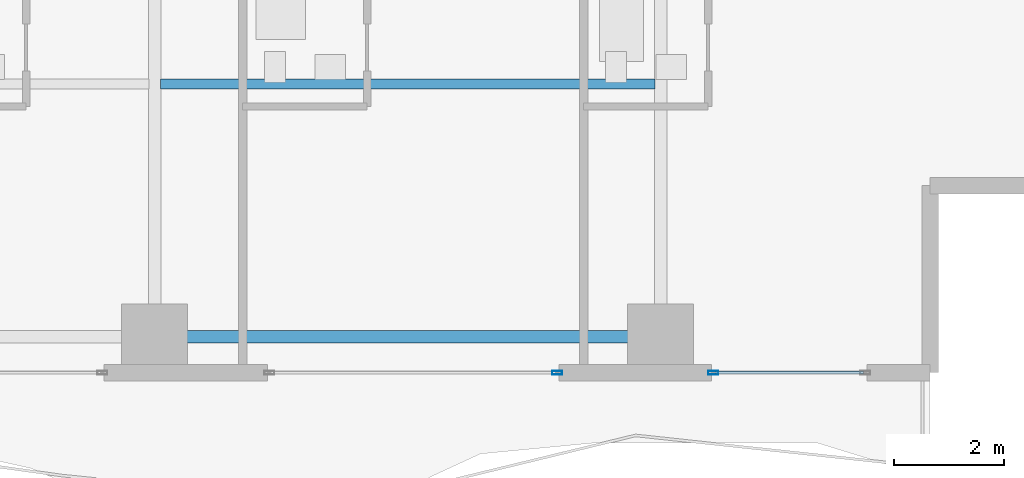
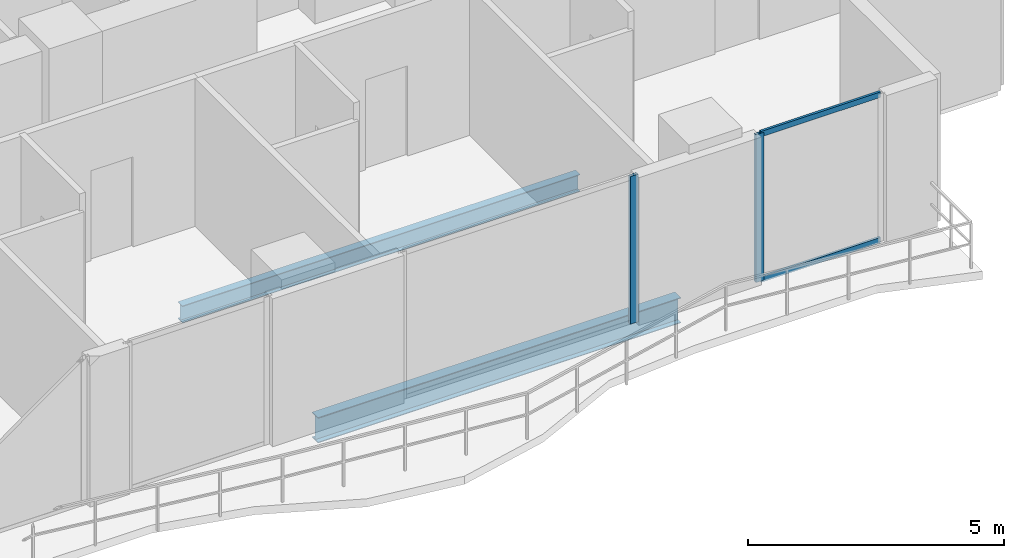
# One storey, part 9 of 32: 4 members, 2 beams, 2 elements without a shape of their own.
"""IFC4 building model written with IfcOpenShell, lengths in metres."""

from ifc_helpers import new_model, si_unit, direction, frame, origin, origin_2d, place, context, subcontext, project, spatial, hollow_rectangle, i_section, extrude, material, layer, layer_set, material_profile, profile_set, type_object, element, aggregate, save


model = new_model("IFC4")

# Units and contexts
model_context = context("Model", 3, precision=1e-05, world=origin(), true_north=direction((0.0, 1.0)))
body_context = subcontext(model_context, "Body", "Model", "MODEL_VIEW")
ifc_project = project(units=[si_unit("LENGTHUNIT", "METRE"), si_unit("AREAUNIT", "SQUARE_METRE"), si_unit("VOLUMEUNIT", "CUBIC_METRE"), si_unit("PLANEANGLEUNIT", "RADIAN"), si_unit("MASSUNIT", "GRAM", prefix="KILO")], contexts=[model_context])

# Site, building, storey
site_placement = place(None, origin())
site = spatial("IfcSite", under=ifc_project, at=site_placement, CompositionType="ELEMENT")
building_placement = place(site_placement, origin())
building = spatial("IfcBuilding", under=site, at=building_placement, Name="Zuhayl Quay Hotel", CompositionType="ELEMENT")
storey_placement = place(building_placement, frame((0.0, 0.0, 188.64990234375)))
storey = spatial("IfcBuildingStorey", under=building, at=storey_placement, Name="L47", CompositionType="ELEMENT", Elevation=188.64990234375)

# Beams
ifc_material_1 = material(Name="Steel ASTM A992 Grade 50", Category="steel")
ifc_material_profile_1 = material_profile(ifc_material_1, i_section(OverallWidth=0.22802734375, OverallDepth=0.60693359375, WebThickness=0.01123046875, FlangeThickness=0.017333984375, at=origin_2d()), Name="W24X76")
ifc_profile_set_1 = profile_set([ifc_material_profile_1], Name="Steel ASTM A992 Grade 50")
beam_type_1 = type_object("IfcBeamType", Name="BM_B3_W24X76", PredefinedType="BEAM", material=ifc_profile_set_1)
beam_1_placement = place(storey_placement, frame((5.10009765625, -6.949951171875, -0.5234375), z_axis=(1.0, 0.0, 0.0), x_axis=(0.0, 1.0, 0.0)))
element("IfcBeam", 1, at=beam_1_placement, inside=storey, type_object=beam_type_1, Name="L47 Floor Beam RG_L47_03", PredefinedType="BEAM", context=body_context, shape_type="SweptSolid", body=[
    extrude(i_section(OverallWidth=0.22802734375, OverallDepth=0.60693359375, WebThickness=0.01123046875, FlangeThickness=0.017333984375, at=origin_2d()), origin(), (0.0, 0.0, 1.0), 8.199951171875),
])
ifc_material_profile_2 = material_profile(ifc_material_1, i_section(OverallWidth=0.177978515625, OverallDepth=0.406005859375, WebThickness=0.0078125, FlangeThickness=0.0126953125, at=origin_2d()), Name="W16X40")
ifc_profile_set_2 = profile_set([ifc_material_profile_2], Name="Steel ASTM A992 Grade 50")
beam_type_2 = type_object("IfcBeamType", Name="BM_J2B_W16X40", PredefinedType="JOIST", material=ifc_profile_set_2)
beam_2_placement = place(storey_placement, frame((4.7060546875, -2.35009765625, -0.4228515625), z_axis=(1.0, 0.0, 0.0), x_axis=(0.0, 1.0, 0.0)))
element("IfcBeam", 2, at=beam_2_placement, inside=storey, type_object=beam_type_2, Name="L47 Floor Beam FJ_L47_7_3", PredefinedType="JOIST", context=body_context, shape_type="SweptSolid", body=[
    extrude(i_section(OverallWidth=0.177978515625, OverallDepth=0.406005859375, WebThickness=0.0078125, FlangeThickness=0.0126953125, at=origin_2d()), origin(), (0.0, 0.0, 1.0), 8.988037109375),
])

# Curtain wall, member
ifc_material_2 = material(Name="Anodised Aluminium 6063-T6", Category="aluminium")
ifc_layer = layer(ifc_material_2, 0.175048828125, Name="Anodised Aluminium 6063-T6", Category="aluminium")
ifc_layer_set = layer_set([ifc_layer], Name="Anodised Aluminium 6063-T6")
curtain_wall_type = type_object("IfcCurtainWallType", Name="CW_SYS_Z3", PredefinedType="USERDEFINED", material=ifc_layer_set)
curtain_wall_1_placement = place(storey_placement, origin())
curtain_wall_1 = element("IfcCurtainWall", 3, at=curtain_wall_1_placement, inside=storey, type_object=curtain_wall_type, Name="L47 Curtain Wall ENV_L47_S_CW1", ObjectType="UNITISED CURTAIN WALL", PredefinedType="USERDEFINED")
ifc_material_3 = material(Name="Black-anodised aluminium 6063-T6", Category="aluminium")
ifc_material_profile_3 = material_profile(ifc_material_3, hollow_rectangle(XDim=0.06494140625, YDim=0.179931640625, WallThickness=0.00341796875, at=origin_2d()), Name="ALU180X65")
ifc_profile_set_3 = profile_set([ifc_material_profile_3], Name="Black-anodised aluminium 6063-T6")
member_type_1 = type_object("IfcMemberType", Name="MB_CW_MUL_180", PredefinedType="MULLION", material=ifc_profile_set_3)
member_1_placement = place(storey_placement, frame((14.75244140625, -7.60009765625, 0.0), z_axis=(0.0, 0.0, 1.0), x_axis=(0.0, -1.0, 0.0)))
member_1 = element("IfcMember", 4, at=member_1_placement, type_object=member_type_1, Name="CW-Z3 mullion 2", PredefinedType="MULLION", context=body_context, shape_type="SweptSolid", body=[
    extrude(hollow_rectangle(XDim=0.06494140625, YDim=0.179931640625, WallThickness=0.00341796875, at=origin_2d()), origin(), (0.0, 0.0, 1.0), 3.530029296875),
])

curtain_wall_2_placement = place(storey_placement, origin())
curtain_wall_2 = element("IfcCurtainWall", 5, at=curtain_wall_2_placement, inside=storey, type_object=curtain_wall_type, Name="L47 Curtain Wall ENV_L47_S_CW2", ObjectType="UNITISED CURTAIN WALL", PredefinedType="USERDEFINED")
member_2_placement = place(storey_placement, frame((11.91748046875, -7.60009765625, 0.0), z_axis=(0.0, 0.0, 1.0), x_axis=(0.0, -1.0, 0.0)))
member_2 = element("IfcMember", 6, at=member_2_placement, type_object=member_type_1, Name="CW-Z3 mullion 1", PredefinedType="MULLION", context=body_context, shape_type="SweptSolid", body=[
    extrude(hollow_rectangle(XDim=0.06494140625, YDim=0.179931640625, WallThickness=0.00341796875, at=origin_2d()), origin(), (0.0, 0.0, 1.0), 3.530029296875),
])
aggregate(curtain_wall_2, [member_2])

# Member
ifc_material_profile_4 = material_profile(ifc_material_3, hollow_rectangle(XDim=0.054931640625, YDim=0.1298828125, WallThickness=0.0029296875, at=origin_2d()), Name="ALU130X55")
ifc_profile_set_4 = profile_set([ifc_material_profile_4], Name="Black-anodised aluminium 6063-T6")
member_type_2 = type_object("IfcMemberType", Name="MB_CW_TRN_130", PredefinedType="USERDEFINED", material=ifc_profile_set_4)
member_3_placement = place(storey_placement, frame((17.485107421875, -7.60009765625, 0.027587890625), z_axis=(-1.0, 0.0, 0.0), x_axis=(0.0, -1.0, 0.0)))
member_3 = element("IfcMember", 7, at=member_3_placement, type_object=member_type_2, Name="CW-Z3 transom 1.1", ObjectType="TRANSOM", PredefinedType="USERDEFINED", context=body_context, shape_type="SweptSolid", body=[
    extrude(hollow_rectangle(XDim=0.054931640625, YDim=0.1298828125, WallThickness=0.0029296875, at=origin_2d()), origin(), (0.0, 0.0, 1.0), 2.7001953125),
])

member_4_placement = place(storey_placement, frame((17.485107421875, -7.60009765625, 3.502685546875), z_axis=(-1.0, 0.0, 0.0), x_axis=(0.0, -1.0, 0.0)))
member_4 = element("IfcMember", 8, at=member_4_placement, type_object=member_type_2, Name="CW-Z3 transom 1.2", ObjectType="TRANSOM", PredefinedType="USERDEFINED", context=body_context, shape_type="SweptSolid", body=[
    extrude(hollow_rectangle(XDim=0.054931640625, YDim=0.1298828125, WallThickness=0.0029296875, at=origin_2d()), origin(), (0.0, 0.0, 1.0), 2.7001953125),
])

aggregate(curtain_wall_1, [member_1, member_3, member_4])

save(model, "model.ifc")
